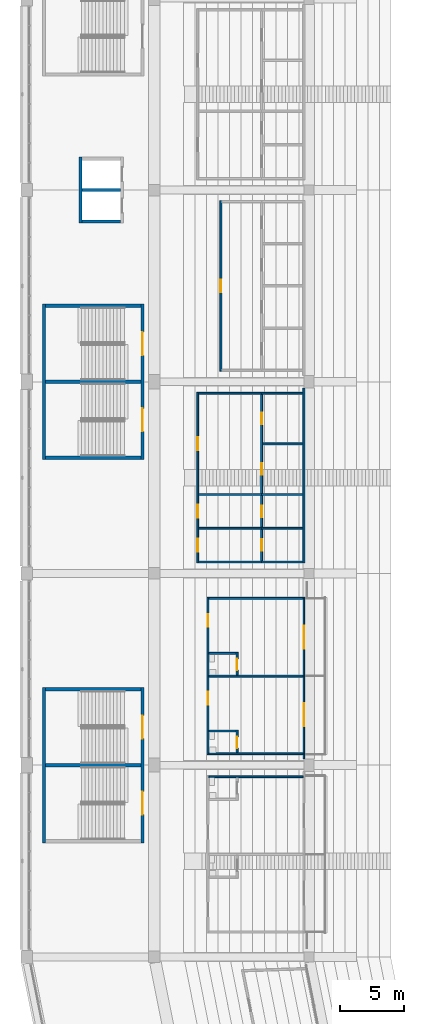
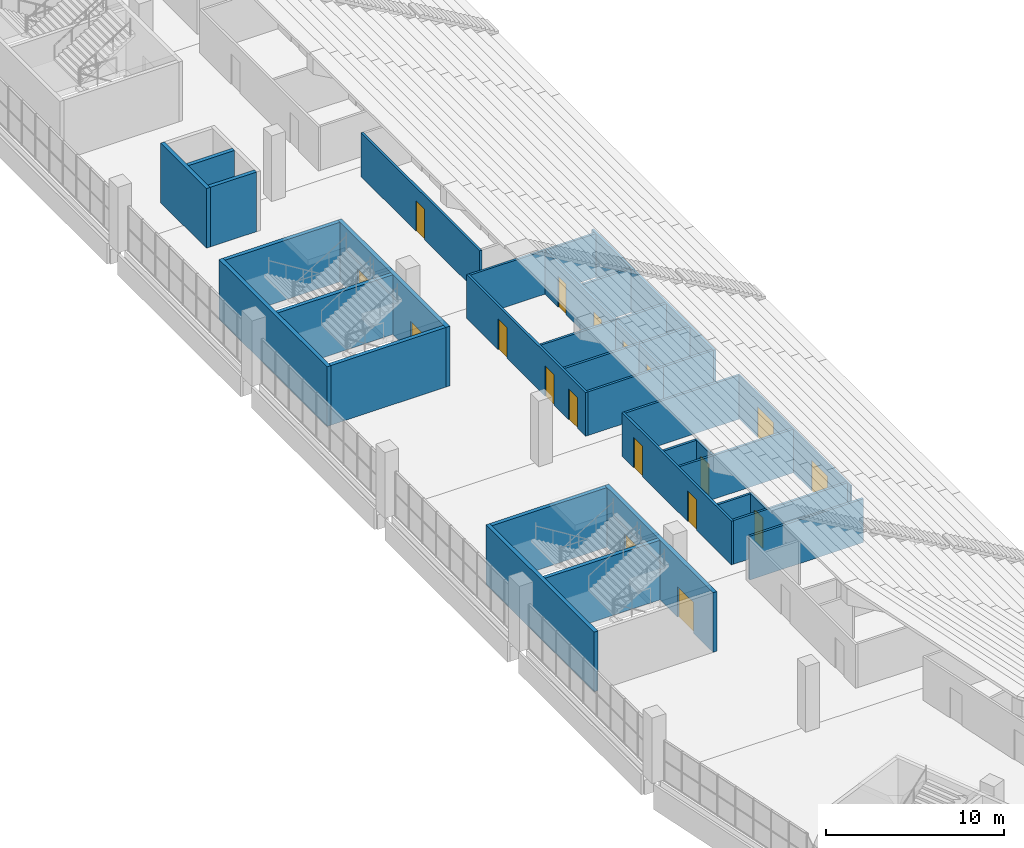
# One storey, part 89 of 249: 35 walls, 18 doors, 18 openings.
"""IFC4 building model written with IfcOpenShell, lengths in metres."""

from ifc_helpers import new_model, si_unit, direction, frame, frame_2d, origin, place, context, subcontext, project, spatial, rectangle, extrude, material, layer, layer_set, type_object, element, fill, save


model = new_model("IFC4")

# Units and contexts
model_context = context("Model", 3, precision=1e-05, world=origin(), true_north=direction((0.0, 1.0)))
body_context = subcontext(model_context, "Body", "Model", "MODEL_VIEW")
ifc_project = project(units=[si_unit("LENGTHUNIT", "METRE"), si_unit("AREAUNIT", "SQUARE_METRE"), si_unit("VOLUMEUNIT", "CUBIC_METRE"), si_unit("PLANEANGLEUNIT", "RADIAN"), si_unit("MASSUNIT", "GRAM", prefix="KILO")], contexts=[model_context])

# Site, building, storey
site_placement = place(None, origin())
site = spatial("IfcSite", under=ifc_project, at=site_placement, CompositionType="ELEMENT")
building_placement = place(site_placement, origin())
building = spatial("IfcBuilding", under=site, at=building_placement, Name="Ogive Plaza Stadium", CompositionType="ELEMENT")
storey_placement = place(building_placement, frame((0.0, 0.0, 13.5)))
storey = spatial("IfcBuildingStorey", under=building, at=storey_placement, Name="L03", CompositionType="ELEMENT", Elevation=13.5)

# Wall
ifc_material_1 = material(Name="Masonry blockwork", Category="masonry")
ifc_layer_1 = layer(ifc_material_1, 0.14990234375)
ifc_layer_set_1 = layer_set([ifc_layer_1], Name="Blockwork wall 150")
wall_type_1 = type_object("IfcWallType", Name="Blockwork wall 150", PredefinedType="SOLIDWALL", material=ifc_layer_set_1)
wall_1_placement = place(storey_placement, frame((-62.35009765625, -38.39990234375, 0.0), z_axis=(0.0, 0.0, 1.0), x_axis=(-1.0, 0.0, 0.0)))
element("IfcWall", 1, at=wall_1_placement, inside=storey, type_object=wall_type_1, Name="Wall L03 B21", PredefinedType="SOLIDWALL", context=body_context, shape_type="SweptSolid", body=[
    extrude(rectangle(XDim=7.375, YDim=0.14990234375, at=frame_2d((3.6875, 0.0))), origin(), (0.0, 0.0, 1.0), 3.0),
])

# Wall, openings, doors
wall_2_placement = place(storey_placement, frame((-69.800048828125, -36.675048828125, 0.0), z_axis=(0.0, 0.0, 1.0), x_axis=(0.0, 1.0, 0.0)))
wall_2 = element("IfcWall", 2, at=wall_2_placement, inside=storey, type_object=wall_type_1, Name="Wall L03 B22", PredefinedType="SOLIDWALL", context=body_context, shape_type="SweptSolid", body=[
    extrude(rectangle(XDim=12.300048828125, YDim=0.14990234375, at=frame_2d((6.14990234375, 0.0))), origin(), (0.0, 0.0, 1.0), 3.0),
])
opening_1_placement = place(wall_2_placement, frame((3.916015625, 0.0, 0.0)))
opening_1 = element("IfcOpeningElement", 3, at=opening_1_placement, cuts=wall_2, Name="Opening D0829", PredefinedType="OPENING", context=body_context, shape_type="SweptSolid", body=[
    extrude(rectangle(XDim=1.0, YDim=2.10009765625, at=frame_2d((0.5, 1.050048828125))), frame((0.0, 0.074951171875, 0.0), z_axis=(0.0, -1.0, 0.0), x_axis=(1.0, 0.0, 0.0)), (0.0, 0.0, 1.0), 0.14990234375),
])
opening_2_placement = place(wall_2_placement, frame((9.990966796875, 0.0, 0.0)))
opening_2 = element("IfcOpeningElement", 4, at=opening_2_placement, cuts=wall_2, Name="Opening D0830", PredefinedType="OPENING", context=body_context, shape_type="SweptSolid", body=[
    extrude(rectangle(XDim=1.0, YDim=2.10009765625, at=frame_2d((0.5, 1.050048828125))), frame((0.0, 0.074951171875, 0.0), z_axis=(0.0, -1.0, 0.0), x_axis=(1.0, 0.0, 0.0)), (0.0, 0.0, 1.0), 0.14990234375),
])
ifc_material_2 = material(Name="Steel ASTM A572 Grade 50", Category="steel")
door_type_1 = type_object("IfcDoorType", Name="Fire door FD30S 1000 x 2100", OperationType="SINGLE_SWING_LEFT", PredefinedType="DOOR", material=ifc_material_2)
door_1_placement = place(opening_1_placement, origin())
door_1 = element("IfcDoor", 5, at=door_1_placement, inside=storey, type_object=door_type_1, Name="Hospitality Suite B22 door", OperationType="SINGLE_SWING_RIGHT", OverallHeight=2.10009765625, OverallWidth=1.0, PredefinedType="DOOR", context=body_context, shape_type="SweptSolid", body=[
    extrude(rectangle(XDim=1.0, YDim=2.10009765625, at=frame_2d((0.5, 1.050048828125))), frame((0.0, 0.02490234375, 0.0), z_axis=(0.0, -1.0, 0.0), x_axis=(1.0, 0.0, 0.0)), (0.0, 0.0, 1.0), 0.050048828125),
])
fill(opening_1, door_1)
door_2_placement = place(opening_2_placement, origin())
door_2 = element("IfcDoor", 6, at=door_2_placement, inside=storey, type_object=door_type_1, Name="Hospitality Suite B22 door", OperationType="SINGLE_SWING_RIGHT", OverallHeight=2.10009765625, OverallWidth=1.0, PredefinedType="DOOR", context=body_context, shape_type="SweptSolid", body=[
    extrude(rectangle(XDim=1.0, YDim=2.10009765625, at=frame_2d((0.5, 1.050048828125))), frame((0.0, 0.02490234375, 0.0), z_axis=(0.0, -1.0, 0.0), x_axis=(1.0, 0.0, 0.0)), (0.0, 0.0, 1.0), 0.050048828125),
])
fill(opening_2, door_2)

# Walls
for number, where, z_axis, x_axis, name in (
    (7, (-62.35009765625, -36.60009765625, 0.0), (0.0, 0.0, 1.0), (-1.0, 0.0, 0.0), "Wall L03 B22"),
    (8, (-62.35009765625, -30.52490234375, 0.0), (0.0, 0.0, 1.0), (-1.0, 0.0, 0.0), "Wall L03 B22"),
    (9, (-62.35009765625, -24.449951171875, 0.0), (0.0, 0.0, 1.0), (-1.0, 0.0, 0.0), "Wall L03 B22"),
):
    element("IfcWall", number, at=place(storey_placement, frame(where, z_axis=z_axis, x_axis=x_axis)), inside=storey, type_object=wall_type_1, Name=name, PredefinedType="SOLIDWALL", context=body_context, shape_type="SweptSolid", body=[
        extrude(rectangle(XDim=7.375, YDim=0.14990234375, at=frame_2d((3.6875, 0.0))), origin(), (0.0, 0.0, 1.0), 3.0),
    ])

# Wall, openings, doors
ifc_material_3 = material(Name="Concrete C40/50", Category="concrete")
ifc_layer_2 = layer(ifc_material_3, 0.25)
ifc_layer_set_2 = layer_set([ifc_layer_2], Name="Concrete C40/50")
wall_type_2 = type_object("IfcWallType", Name="Core wall 250", PredefinedType="SHEAR", material=ifc_layer_set_2)
wall_3_placement = place(storey_placement, frame((-74.925048828125, -31.425048828125, 0.0), z_axis=(0.0, 0.0, 1.0), x_axis=(0.0, -1.0, 0.0)))
wall_3 = element("IfcWall", 10, at=wall_3_placement, inside=storey, type_object=wall_type_2, Name="Stair core R22 inner wall", PredefinedType="SHEAR", context=body_context, shape_type="SweptSolid", body=[
    extrude(rectangle(XDim=12.14990234375, YDim=0.25, at=frame_2d((6.074951171875, 0.0))), origin(), (0.0, 0.0, 1.0), 4.090087890625),
])
opening_3_placement = place(wall_3_placement, frame((2.199951171875, 0.0, 0.0)))
opening_3 = element("IfcOpeningElement", 11, at=opening_3_placement, cuts=wall_3, Name="Opening D0177", PredefinedType="OPENING", context=body_context, shape_type="SweptSolid", body=[
    extrude(rectangle(XDim=1.800048828125, YDim=2.10009765625, at=frame_2d((0.89990234375, 1.050048828125))), frame((0.0, 0.125, 0.0), z_axis=(0.0, -1.0, 0.0), x_axis=(1.0, 0.0, 0.0)), (0.0, 0.0, 1.0), 0.25),
])
opening_4_placement = place(wall_3_placement, frame((8.14990234375, 0.0, 0.0)))
opening_4 = element("IfcOpeningElement", 12, at=opening_4_placement, cuts=wall_3, Name="Opening D0178", PredefinedType="OPENING", context=body_context, shape_type="SweptSolid", body=[
    extrude(rectangle(XDim=1.800048828125, YDim=2.10009765625, at=frame_2d((0.89990234375, 1.050048828125))), frame((0.0, 0.125, 0.0), z_axis=(0.0, -1.0, 0.0), x_axis=(1.0, 0.0, 0.0)), (0.0, 0.0, 1.0), 0.25),
])
ifc_material_4 = material(Name="Steel ASTM A572 Grade 50", Category="steel")
door_type_2 = type_object("IfcDoorType", Name="Fire door FD90 pair 1800 x 2100", OperationType="DOUBLE_DOOR_SINGLE_SWING", PredefinedType="DOOR", material=ifc_material_4)
door_3_placement = place(opening_3_placement, origin())
door_3 = element("IfcDoor", 13, at=door_3_placement, inside=storey, type_object=door_type_2, Name="Exit stair R22A door L03", OperationType="DOUBLE_DOOR_SINGLE_SWING", OverallHeight=2.10009765625, OverallWidth=1.800048828125, PredefinedType="DOOR", context=body_context, shape_type="SweptSolid", body=[
    extrude(rectangle(XDim=1.800048828125, YDim=2.10009765625, at=frame_2d((0.89990234375, 1.050048828125))), frame((0.0, 0.02490234375, 0.0), z_axis=(0.0, -1.0, 0.0), x_axis=(1.0, 0.0, 0.0)), (0.0, 0.0, 1.0), 0.050048828125),
])
fill(opening_3, door_3)
door_4_placement = place(opening_4_placement, origin())
door_4 = element("IfcDoor", 14, at=door_4_placement, inside=storey, type_object=door_type_2, Name="Exit stair R22B door L03", OperationType="DOUBLE_DOOR_SINGLE_SWING", OverallHeight=2.10009765625, OverallWidth=1.800048828125, PredefinedType="DOOR", context=body_context, shape_type="SweptSolid", body=[
    extrude(rectangle(XDim=1.800048828125, YDim=2.10009765625, at=frame_2d((0.89990234375, 1.050048828125))), frame((0.0, 0.02490234375, 0.0), z_axis=(0.0, -1.0, 0.0), x_axis=(1.0, 0.0, 0.0)), (0.0, 0.0, 1.0), 0.050048828125),
])
fill(opening_4, door_4)

# Walls
wall_4_placement = place(storey_placement, frame((-82.635009765625, -31.425048828125, 0.0), z_axis=(0.0, 0.0, 1.0), x_axis=(0.0, -1.0, 0.0)))
element("IfcWall", 15, at=wall_4_placement, inside=storey, type_object=wall_type_2, Name="Stair core R22 outer wall", PredefinedType="SHEAR", context=body_context, shape_type="SweptSolid", body=[
    extrude(rectangle(XDim=12.14990234375, YDim=0.25, at=frame_2d((6.074951171875, 0.0))), origin(), (0.0, 0.0, 1.0), 4.090087890625),
])
for number, where, z_axis, x_axis, name in (
    (16, (-75.050048828125, -31.550048828125, 0.0), (0.0, 0.0, 1.0), (-1.0, 0.0, 0.0), "Stair core R22 side wall"),
    (17, (-75.050048828125, -37.5, 0.0), (0.0, 0.0, 1.0), (-1.0, 0.0, 0.0), "Stair core R22 centre wall"),
):
    element("IfcWall", number, at=place(storey_placement, frame(where, z_axis=z_axis, x_axis=x_axis)), inside=storey, type_object=wall_type_2, Name=name, PredefinedType="SHEAR", context=body_context, shape_type="SweptSolid", body=[
        extrude(rectangle(XDim=7.4599609375, YDim=0.25, at=frame_2d((3.72998046875, 0.0))), origin(), (0.0, 0.0, 1.0), 4.090087890625),
    ])

# Wall, openings, doors
wall_5_placement = place(storey_placement, frame((-74.925048828125, -1.425048828125, 0.0), z_axis=(0.0, 0.0, 1.0), x_axis=(0.0, -1.0, 0.0)))
wall_5 = element("IfcWall", 18, at=wall_5_placement, inside=storey, type_object=wall_type_2, Name="Stair core R24 inner wall", PredefinedType="SHEAR", context=body_context, shape_type="SweptSolid", body=[
    extrude(rectangle(XDim=12.14990234375, YDim=0.25, at=frame_2d((6.074951171875, 0.0))), origin(), (0.0, 0.0, 1.0), 4.090087890625),
])
opening_5_placement = place(wall_5_placement, frame((2.199951171875, 0.0, 0.0)))
opening_5 = element("IfcOpeningElement", 19, at=opening_5_placement, cuts=wall_5, Name="Opening D0189", PredefinedType="OPENING", context=body_context, shape_type="SweptSolid", body=[
    extrude(rectangle(XDim=1.800048828125, YDim=2.10009765625, at=frame_2d((0.89990234375, 1.050048828125))), frame((0.0, 0.125, 0.0), z_axis=(0.0, -1.0, 0.0), x_axis=(1.0, 0.0, 0.0)), (0.0, 0.0, 1.0), 0.25),
])
opening_6_placement = place(wall_5_placement, frame((8.14990234375, 0.0, 0.0)))
opening_6 = element("IfcOpeningElement", 20, at=opening_6_placement, cuts=wall_5, Name="Opening D0190", PredefinedType="OPENING", context=body_context, shape_type="SweptSolid", body=[
    extrude(rectangle(XDim=1.800048828125, YDim=2.10009765625, at=frame_2d((0.89990234375, 1.050048828125))), frame((0.0, 0.125, 0.0), z_axis=(0.0, -1.0, 0.0), x_axis=(1.0, 0.0, 0.0)), (0.0, 0.0, 1.0), 0.25),
])
door_5_placement = place(opening_5_placement, origin())
door_5 = element("IfcDoor", 21, at=door_5_placement, inside=storey, type_object=door_type_2, Name="Exit stair R24A door L03", OperationType="DOUBLE_DOOR_SINGLE_SWING", OverallHeight=2.10009765625, OverallWidth=1.800048828125, PredefinedType="DOOR", context=body_context, shape_type="SweptSolid", body=[
    extrude(rectangle(XDim=1.800048828125, YDim=2.10009765625, at=frame_2d((0.89990234375, 1.050048828125))), frame((0.0, 0.02490234375, 0.0), z_axis=(0.0, -1.0, 0.0), x_axis=(1.0, 0.0, 0.0)), (0.0, 0.0, 1.0), 0.050048828125),
])
fill(opening_5, door_5)
door_6_placement = place(opening_6_placement, origin())
door_6 = element("IfcDoor", 22, at=door_6_placement, inside=storey, type_object=door_type_2, Name="Exit stair R24B door L03", OperationType="DOUBLE_DOOR_SINGLE_SWING", OverallHeight=2.10009765625, OverallWidth=1.800048828125, PredefinedType="DOOR", context=body_context, shape_type="SweptSolid", body=[
    extrude(rectangle(XDim=1.800048828125, YDim=2.10009765625, at=frame_2d((0.89990234375, 1.050048828125))), frame((0.0, 0.02490234375, 0.0), z_axis=(0.0, -1.0, 0.0), x_axis=(1.0, 0.0, 0.0)), (0.0, 0.0, 1.0), 0.050048828125),
])
fill(opening_6, door_6)

# Walls
wall_6_placement = place(storey_placement, frame((-82.635009765625, -1.425048828125, 0.0), z_axis=(0.0, 0.0, 1.0), x_axis=(0.0, -1.0, 0.0)))
element("IfcWall", 23, at=wall_6_placement, inside=storey, type_object=wall_type_2, Name="Stair core R24 outer wall", PredefinedType="SHEAR", context=body_context, shape_type="SweptSolid", body=[
    extrude(rectangle(XDim=12.14990234375, YDim=0.25, at=frame_2d((6.074951171875, 0.0))), origin(), (0.0, 0.0, 1.0), 4.090087890625),
])
for number, where, z_axis, x_axis, name in (
    (24, (-75.050048828125, -1.550048828125, 0.0), (0.0, 0.0, 1.0), (-1.0, 0.0, 0.0), "Stair core R24 side wall"),
    (25, (-75.050048828125, -13.449951171875, 0.0), (0.0, 0.0, 1.0), (-1.0, 0.0, 0.0), "Stair core R24 side wall"),
    (26, (-75.050048828125, -7.5, 0.0), (0.0, 0.0, 1.0), (-1.0, 0.0, 0.0), "Stair core R24 centre wall"),
):
    element("IfcWall", number, at=place(storey_placement, frame(where, z_axis=z_axis, x_axis=x_axis)), inside=storey, type_object=wall_type_2, Name=name, PredefinedType="SHEAR", context=body_context, shape_type="SweptSolid", body=[
        extrude(rectangle(XDim=7.4599609375, YDim=0.25, at=frame_2d((3.72998046875, 0.0))), origin(), (0.0, 0.0, 1.0), 4.090087890625),
    ])
wall_7_placement = place(storey_placement, frame((-79.77490234375, 10.074951171875, 0.0), z_axis=(0.0, 0.0, 1.0), x_axis=(0.0, -1.0, 0.0)))
element("IfcWall", 27, at=wall_7_placement, inside=storey, type_object=wall_type_2, Name="Lift core LP25 rear wall", PredefinedType="SHEAR", context=body_context, shape_type="SweptSolid", body=[
    extrude(rectangle(XDim=5.14990234375, YDim=0.25, at=frame_2d((2.574951171875, 0.0))), origin(), (0.0, 0.0, 1.0), 4.090087890625),
])
for number, where, z_axis, x_axis, name in (
    (28, (-76.64990234375, 5.050048828125, 0.0), (0.0, 0.0, 1.0), (-1.0, 0.0, 0.0), "Lift core LP25 side wall"),
    (29, (-76.64990234375, 7.5, 0.0), (0.0, 0.0, 1.0), (-1.0, 0.0, 0.0), "Lift core LP25 centre wall"),
):
    element("IfcWall", number, at=place(storey_placement, frame(where, z_axis=z_axis, x_axis=x_axis)), inside=storey, type_object=wall_type_2, Name=name, PredefinedType="SHEAR", context=body_context, shape_type="SweptSolid", body=[
        extrude(rectangle(XDim=3.0, YDim=0.25, at=frame_2d((1.5, 0.0))), origin(), (0.0, 0.0, 1.0), 4.090087890625),
    ])

# Wall, openings, doors
ifc_material_5 = material(Name="Laminated glass in aluminium frame", Category="aluminium")
ifc_layer_3 = layer(ifc_material_5, 0.10009765625)
ifc_layer_set_3 = layer_set([ifc_layer_3], Name="Glazed partition 100")
wall_type_3 = type_object("IfcWallType", Name="Glazed partition 100", PredefinedType="PARTITIONING", material=ifc_layer_set_3)
wall_8_placement = place(storey_placement, frame((-62.300048828125, -37.0, 0.0), z_axis=(0.0, 0.0, 1.0), x_axis=(0.0, 1.0, 0.0)))
wall_8 = element("IfcWall", 30, at=wall_8_placement, inside=storey, type_object=wall_type_3, Name="Wall L03 B22", PredefinedType="PARTITIONING", context=body_context, shape_type="SweptSolid", body=[
    extrude(rectangle(XDim=12.625, YDim=0.10009765625, at=frame_2d((6.3125, 0.0))), origin(), (0.0, 0.0, 1.0), 3.0),
])
opening_7_placement = place(wall_8_placement, frame((2.53759765625, 0.0, 0.0)))
opening_7 = element("IfcOpeningElement", 31, at=opening_7_placement, cuts=wall_8, Name="Opening D0831", PredefinedType="OPENING", context=body_context, shape_type="SweptSolid", body=[
    extrude(rectangle(XDim=1.800048828125, YDim=2.10009765625, at=frame_2d((0.89990234375, 1.050048828125))), frame((0.0, 0.050048828125, 0.0), z_axis=(0.0, -1.0, 0.0), x_axis=(1.0, 0.0, 0.0)), (0.0, 0.0, 1.0), 0.10009765625),
])
opening_8_placement = place(wall_8_placement, frame((8.612548828125, 0.0, 0.0)))
opening_8 = element("IfcOpeningElement", 32, at=opening_8_placement, cuts=wall_8, Name="Opening D0832", PredefinedType="OPENING", context=body_context, shape_type="SweptSolid", body=[
    extrude(rectangle(XDim=1.800048828125, YDim=2.10009765625, at=frame_2d((0.89990234375, 1.050048828125))), frame((0.0, 0.050048828125, 0.0), z_axis=(0.0, -1.0, 0.0), x_axis=(1.0, 0.0, 0.0)), (0.0, 0.0, 1.0), 0.10009765625),
])
ifc_material_6 = material(Name="Steel ASTM A572 Grade 50", Category="steel")
door_type_3 = type_object("IfcDoorType", Name="Door pair 1800 x 2100", OperationType="DOUBLE_DOOR_SINGLE_SWING", PredefinedType="DOOR", material=ifc_material_6)
door_7_placement = place(opening_7_placement, origin())
door_7 = element("IfcDoor", 33, at=door_7_placement, inside=storey, type_object=door_type_3, Name="Suite terrace door B22", OperationType="DOUBLE_DOOR_SINGLE_SWING", OverallHeight=2.10009765625, OverallWidth=1.800048828125, PredefinedType="DOOR", context=body_context, shape_type="SweptSolid", body=[
    extrude(rectangle(XDim=1.800048828125, YDim=2.10009765625, at=frame_2d((0.89990234375, 1.050048828125))), frame((0.0, 0.02490234375, 0.0), z_axis=(0.0, -1.0, 0.0), x_axis=(1.0, 0.0, 0.0)), (0.0, 0.0, 1.0), 0.050048828125),
])
fill(opening_7, door_7)
door_8_placement = place(opening_8_placement, origin())
door_8 = element("IfcDoor", 34, at=door_8_placement, inside=storey, type_object=door_type_3, Name="Suite terrace door B22", OperationType="DOUBLE_DOOR_SINGLE_SWING", OverallHeight=2.10009765625, OverallWidth=1.800048828125, PredefinedType="DOOR", context=body_context, shape_type="SweptSolid", body=[
    extrude(rectangle(XDim=1.800048828125, YDim=2.10009765625, at=frame_2d((0.89990234375, 1.050048828125))), frame((0.0, 0.02490234375, 0.0), z_axis=(0.0, -1.0, 0.0), x_axis=(1.0, 0.0, 0.0)), (0.0, 0.0, 1.0), 0.050048828125),
])
fill(opening_8, door_8)

# Wall, opening, door
ifc_material_7 = material(Name="Gypsum board partition", Category="gypsum")
ifc_layer_4 = layer(ifc_material_7, 0.14990234375)
ifc_layer_set_4 = layer_set([ifc_layer_4], Name="Partition 150")
wall_type_4 = type_object("IfcWallType", Name="Partition 150", PredefinedType="PARTITIONING", material=ifc_layer_set_4)
wall_9_placement = place(storey_placement, frame((-67.52490234375, -36.52490234375, 0.0), z_axis=(0.0, 0.0, 1.0), x_axis=(0.0, 1.0, 0.0)))
wall_9 = element("IfcWall", 35, at=wall_9_placement, inside=storey, type_object=wall_type_4, Name="Wall L03 B22", PredefinedType="PARTITIONING", context=body_context, shape_type="SweptSolid", body=[
    extrude(rectangle(XDim=1.77490234375, YDim=0.14990234375, at=frame_2d((0.887451171875, 0.0))), origin(), (0.0, 0.0, 1.0), 3.0),
])
opening_9_placement = place(wall_9_placement, frame((0.362548828125, 0.0, 0.0)))
opening_9 = element("IfcOpeningElement", 36, at=opening_9_placement, cuts=wall_9, Name="Opening D0833", PredefinedType="OPENING", context=body_context, shape_type="SweptSolid", body=[
    extrude(rectangle(XDim=0.89990234375, YDim=2.10009765625, at=frame_2d((0.449951171875, 1.050048828125))), frame((0.0, 0.074951171875, 0.0), z_axis=(0.0, -1.0, 0.0), x_axis=(1.0, 0.0, 0.0)), (0.0, 0.0, 1.0), 0.14990234375),
])
ifc_material_8 = material(Name="Steel ASTM A572 Grade 50", Category="steel")
door_type_4 = type_object("IfcDoorType", Name="Door 900 x 2100", OperationType="SINGLE_SWING_LEFT", PredefinedType="DOOR", material=ifc_material_8)
door_9_placement = place(opening_9_placement, origin())
door_9 = element("IfcDoor", 37, at=door_9_placement, inside=storey, type_object=door_type_4, Name="Suite WC B22 door", OperationType="SINGLE_SWING_LEFT", OverallHeight=2.10009765625, OverallWidth=0.89990234375, PredefinedType="DOOR", context=body_context, shape_type="SweptSolid", body=[
    extrude(rectangle(XDim=0.89990234375, YDim=2.10009765625, at=frame_2d((0.449951171875, 1.050048828125))), frame((0.0, 0.02490234375, 0.0), z_axis=(0.0, -1.0, 0.0), x_axis=(1.0, 0.0, 0.0)), (0.0, 0.0, 1.0), 0.050048828125),
])
fill(opening_9, door_9)

# Wall
wall_10_placement = place(storey_placement, frame((-67.60009765625, -34.824951171875, 0.0), z_axis=(0.0, 0.0, 1.0), x_axis=(-1.0, 0.0, 0.0)))
element("IfcWall", 38, at=wall_10_placement, inside=storey, type_object=wall_type_4, Name="Wall L03 B22", PredefinedType="PARTITIONING", context=body_context, shape_type="SweptSolid", body=[
    extrude(rectangle(XDim=2.125, YDim=0.14990234375, at=frame_2d((1.0625, 0.0))), origin(), (0.0, 0.0, 1.0), 3.0),
])

# Wall, opening, door
wall_11_placement = place(storey_placement, frame((-67.52490234375, -30.449951171875, 0.0), z_axis=(0.0, 0.0, 1.0), x_axis=(0.0, 1.0, 0.0)))
wall_11 = element("IfcWall", 39, at=wall_11_placement, inside=storey, type_object=wall_type_4, Name="Wall L03 B22", PredefinedType="PARTITIONING", context=body_context, shape_type="SweptSolid", body=[
    extrude(rectangle(XDim=1.77490234375, YDim=0.14990234375, at=frame_2d((0.887451171875, 0.0))), origin(), (0.0, 0.0, 1.0), 3.0),
])
opening_10_placement = place(wall_11_placement, frame((0.362548828125, 0.0, 0.0)))
opening_10 = element("IfcOpeningElement", 40, at=opening_10_placement, cuts=wall_11, Name="Opening D0834", PredefinedType="OPENING", context=body_context, shape_type="SweptSolid", body=[
    extrude(rectangle(XDim=0.89990234375, YDim=2.10009765625, at=frame_2d((0.449951171875, 1.050048828125))), frame((0.0, 0.074951171875, 0.0), z_axis=(0.0, -1.0, 0.0), x_axis=(1.0, 0.0, 0.0)), (0.0, 0.0, 1.0), 0.14990234375),
])
door_10_placement = place(opening_10_placement, origin())
door_10 = element("IfcDoor", 41, at=door_10_placement, inside=storey, type_object=door_type_4, Name="Suite WC B22 door", OperationType="SINGLE_SWING_RIGHT", OverallHeight=2.10009765625, OverallWidth=0.89990234375, PredefinedType="DOOR", context=body_context, shape_type="SweptSolid", body=[
    extrude(rectangle(XDim=0.89990234375, YDim=2.10009765625, at=frame_2d((0.449951171875, 1.050048828125))), frame((0.0, 0.02490234375, 0.0), z_axis=(0.0, -1.0, 0.0), x_axis=(1.0, 0.0, 0.0)), (0.0, 0.0, 1.0), 0.050048828125),
])
fill(opening_10, door_10)

# Walls
wall_12_placement = place(storey_placement, frame((-67.60009765625, -28.75, 0.0), z_axis=(0.0, 0.0, 1.0), x_axis=(-1.0, 0.0, 0.0)))
element("IfcWall", 42, at=wall_12_placement, inside=storey, type_object=wall_type_4, Name="Wall L03 B22", PredefinedType="PARTITIONING", context=body_context, shape_type="SweptSolid", body=[
    extrude(rectangle(XDim=2.125, YDim=0.14990234375, at=frame_2d((1.0625, 0.0))), origin(), (0.0, 0.0, 1.0), 3.0),
])
wall_13_placement = place(storey_placement, frame((-62.300048828125, -8.0, 0.0), z_axis=(0.0, 0.0, 1.0), x_axis=(0.0, -1.0, 0.0)))
element("IfcWall", 43, at=wall_13_placement, inside=storey, type_object=wall_type_4, Name="Wall L03 B23", PredefinedType="PARTITIONING", context=body_context, shape_type="SweptSolid", body=[
    extrude(rectangle(XDim=13.675048828125, YDim=0.14990234375, at=frame_2d((6.83740234375, 0.0))), origin(), (0.0, 0.0, 1.0), 3.0),
])

# Wall, openings, doors
wall_14_placement = place(storey_placement, frame((-65.60009765625, -8.324951171875, 0.0), z_axis=(0.0, 0.0, 1.0), x_axis=(0.0, -1.0, 0.0)))
wall_14 = element("IfcWall", 44, at=wall_14_placement, inside=storey, type_object=wall_type_4, Name="Wall L03 B23", PredefinedType="PARTITIONING", context=body_context, shape_type="SweptSolid", body=[
    extrude(rectangle(XDim=13.35009765625, YDim=0.14990234375, at=frame_2d((6.675048828125, 0.0))), origin(), (0.0, 0.0, 1.0), 3.0),
])
opening_11_placement = place(wall_14_placement, frame((1.60498046875, 0.0, 0.0)))
opening_11 = element("IfcOpeningElement", 45, at=opening_11_placement, cuts=wall_14, Name="Opening D0835", PredefinedType="OPENING", context=body_context, shape_type="SweptSolid", body=[
    extrude(rectangle(XDim=0.89990234375, YDim=2.10009765625, at=frame_2d((0.449951171875, 1.050048828125))), frame((0.0, 0.074951171875, 0.0), z_axis=(0.0, -1.0, 0.0), x_axis=(1.0, 0.0, 0.0)), (0.0, 0.0, 1.0), 0.14990234375),
])
opening_12_placement = place(wall_14_placement, frame((5.56494140625, 0.0, 0.0)))
opening_12 = element("IfcOpeningElement", 46, at=opening_12_placement, cuts=wall_14, Name="Opening D0836", PredefinedType="OPENING", context=body_context, shape_type="SweptSolid", body=[
    extrude(rectangle(XDim=0.89990234375, YDim=2.10009765625, at=frame_2d((0.449951171875, 1.050048828125))), frame((0.0, 0.074951171875, 0.0), z_axis=(0.0, -1.0, 0.0), x_axis=(1.0, 0.0, 0.0)), (0.0, 0.0, 1.0), 0.14990234375),
])
opening_13_placement = place(wall_14_placement, frame((8.864990234375, 0.0, 0.0)))
opening_13 = element("IfcOpeningElement", 47, at=opening_13_placement, cuts=wall_14, Name="Opening D0837", PredefinedType="OPENING", context=body_context, shape_type="SweptSolid", body=[
    extrude(rectangle(XDim=0.89990234375, YDim=2.10009765625, at=frame_2d((0.449951171875, 1.050048828125))), frame((0.0, 0.074951171875, 0.0), z_axis=(0.0, -1.0, 0.0), x_axis=(1.0, 0.0, 0.0)), (0.0, 0.0, 1.0), 0.14990234375),
])
opening_14_placement = place(wall_14_placement, frame((11.5048828125, 0.0, 0.0)))
opening_14 = element("IfcOpeningElement", 48, at=opening_14_placement, cuts=wall_14, Name="Opening D0838", PredefinedType="OPENING", context=body_context, shape_type="SweptSolid", body=[
    extrude(rectangle(XDim=0.89990234375, YDim=2.10009765625, at=frame_2d((0.449951171875, 1.050048828125))), frame((0.0, 0.074951171875, 0.0), z_axis=(0.0, -1.0, 0.0), x_axis=(1.0, 0.0, 0.0)), (0.0, 0.0, 1.0), 0.14990234375),
])
door_11_placement = place(opening_11_placement, origin())
door_11 = element("IfcDoor", 49, at=door_11_placement, inside=storey, type_object=door_type_4, Name="Commentary Booth B23 door", OperationType="SINGLE_SWING_LEFT", OverallHeight=2.10009765625, OverallWidth=0.89990234375, PredefinedType="DOOR", context=body_context, shape_type="SweptSolid", body=[
    extrude(rectangle(XDim=0.89990234375, YDim=2.10009765625, at=frame_2d((0.449951171875, 1.050048828125))), frame((0.0, 0.02490234375, 0.0), z_axis=(0.0, -1.0, 0.0), x_axis=(1.0, 0.0, 0.0)), (0.0, 0.0, 1.0), 0.050048828125),
])
fill(opening_11, door_11)
door_12_placement = place(opening_12_placement, origin())
door_12 = element("IfcDoor", 50, at=door_12_placement, inside=storey, type_object=door_type_4, Name="Commentary Booth B23 door", OperationType="SINGLE_SWING_RIGHT", OverallHeight=2.10009765625, OverallWidth=0.89990234375, PredefinedType="DOOR", context=body_context, shape_type="SweptSolid", body=[
    extrude(rectangle(XDim=0.89990234375, YDim=2.10009765625, at=frame_2d((0.449951171875, 1.050048828125))), frame((0.0, 0.02490234375, 0.0), z_axis=(0.0, -1.0, 0.0), x_axis=(1.0, 0.0, 0.0)), (0.0, 0.0, 1.0), 0.050048828125),
])
fill(opening_12, door_12)
door_13_placement = place(opening_13_placement, origin())
door_13 = element("IfcDoor", 51, at=door_13_placement, inside=storey, type_object=door_type_4, Name="Commentary Booth B23 door", OperationType="SINGLE_SWING_LEFT", OverallHeight=2.10009765625, OverallWidth=0.89990234375, PredefinedType="DOOR", context=body_context, shape_type="SweptSolid", body=[
    extrude(rectangle(XDim=0.89990234375, YDim=2.10009765625, at=frame_2d((0.449951171875, 1.050048828125))), frame((0.0, 0.02490234375, 0.0), z_axis=(0.0, -1.0, 0.0), x_axis=(1.0, 0.0, 0.0)), (0.0, 0.0, 1.0), 0.050048828125),
])
fill(opening_13, door_13)
door_14_placement = place(opening_14_placement, origin())
door_14 = element("IfcDoor", 52, at=door_14_placement, inside=storey, type_object=door_type_4, Name="Commentary Booth B23 door", OperationType="SINGLE_SWING_RIGHT", OverallHeight=2.10009765625, OverallWidth=0.89990234375, PredefinedType="DOOR", context=body_context, shape_type="SweptSolid", body=[
    extrude(rectangle(XDim=0.89990234375, YDim=2.10009765625, at=frame_2d((0.449951171875, 1.050048828125))), frame((0.0, 0.02490234375, 0.0), z_axis=(0.0, -1.0, 0.0), x_axis=(1.0, 0.0, 0.0)), (0.0, 0.0, 1.0), 0.050048828125),
])
fill(opening_14, door_14)

# Walls
wall_15_placement = place(storey_placement, frame((-62.375, -8.39990234375, 0.0), z_axis=(0.0, 0.0, 1.0), x_axis=(-1.0, 0.0, 0.0)))
element("IfcWall", 53, at=wall_15_placement, inside=storey, type_object=wall_type_4, Name="Wall L03 B23", PredefinedType="PARTITIONING", context=body_context, shape_type="SweptSolid", body=[
    extrude(rectangle(XDim=3.22509765625, YDim=0.14990234375, at=frame_2d((1.612548828125, 0.0))), origin(), (0.0, 0.0, 1.0), 3.0),
])
wall_16_placement = place(storey_placement, frame((-62.375, -12.360107421875, 0.0), z_axis=(0.0, 0.0, 1.0), x_axis=(-1.0, 0.0, 0.0)))
element("IfcWall", 54, at=wall_16_placement, inside=storey, type_object=wall_type_4, Name="Wall L03 B23", PredefinedType="PARTITIONING", context=body_context, shape_type="SweptSolid", body=[
    extrude(rectangle(XDim=3.14990234375, YDim=0.14990234375, at=frame_2d((1.574951171875, 0.0))), origin(), (0.0, 0.0, 1.0), 3.0),
])
for number, where, z_axis, x_axis, name in (
    (55, (-62.375, -16.320068359375, 0.0), (0.0, 0.0, 1.0), (-1.0, 0.0, 0.0), "Wall L03 B23"),
    (56, (-62.375, -18.9599609375, 0.0), (0.0, 0.0, 1.0), (-1.0, 0.0, 0.0), "Wall L03 B23"),
    (57, (-62.375, -21.60009765625, 0.0), (0.0, 0.0, 1.0), (-1.0, 0.0, 0.0), "Wall L03 B23"),
):
    element("IfcWall", number, at=place(storey_placement, frame(where, z_axis=z_axis, x_axis=x_axis)), inside=storey, type_object=wall_type_4, Name=name, PredefinedType="PARTITIONING", context=body_context, shape_type="SweptSolid", body=[
        extrude(rectangle(XDim=3.22509765625, YDim=0.14990234375, at=frame_2d((1.612548828125, 0.0))), origin(), (0.0, 0.0, 1.0), 3.0),
    ])

# Wall, openings, doors
wall_17_placement = place(storey_placement, frame((-70.60009765625, -8.324951171875, 0.0), z_axis=(0.0, 0.0, 1.0), x_axis=(0.0, -1.0, 0.0)))
wall_17 = element("IfcWall", 58, at=wall_17_placement, inside=storey, type_object=wall_type_4, Name="Wall L03 B23", PredefinedType="PARTITIONING", context=body_context, shape_type="SweptSolid", body=[
    extrude(rectangle(XDim=13.35009765625, YDim=0.14990234375, at=frame_2d((6.675048828125, 0.0))), origin(), (0.0, 0.0, 1.0), 3.0),
])
opening_15_placement = place(wall_17_placement, frame((3.534912109375, 0.0, 0.0)))
opening_15 = element("IfcOpeningElement", 59, at=opening_15_placement, cuts=wall_17, Name="Opening D0839", PredefinedType="OPENING", context=body_context, shape_type="SweptSolid", body=[
    extrude(rectangle(XDim=1.0, YDim=2.10009765625, at=frame_2d((0.5, 1.050048828125))), frame((0.0, 0.074951171875, 0.0), z_axis=(0.0, -1.0, 0.0), x_axis=(1.0, 0.0, 0.0)), (0.0, 0.0, 1.0), 0.14990234375),
])
opening_16_placement = place(wall_17_placement, frame((8.81494140625, 0.0, 0.0)))
opening_16 = element("IfcOpeningElement", 60, at=opening_16_placement, cuts=wall_17, Name="Opening D0840", PredefinedType="OPENING", context=body_context, shape_type="SweptSolid", body=[
    extrude(rectangle(XDim=1.0, YDim=2.10009765625, at=frame_2d((0.5, 1.050048828125))), frame((0.0, 0.074951171875, 0.0), z_axis=(0.0, -1.0, 0.0), x_axis=(1.0, 0.0, 0.0)), (0.0, 0.0, 1.0), 0.14990234375),
])
opening_17_placement = place(wall_17_placement, frame((11.455078125, 0.0, 0.0)))
opening_17 = element("IfcOpeningElement", 61, at=opening_17_placement, cuts=wall_17, Name="Opening D0841", PredefinedType="OPENING", context=body_context, shape_type="SweptSolid", body=[
    extrude(rectangle(XDim=1.0, YDim=2.10009765625, at=frame_2d((0.5, 1.050048828125))), frame((0.0, 0.074951171875, 0.0), z_axis=(0.0, -1.0, 0.0), x_axis=(1.0, 0.0, 0.0)), (0.0, 0.0, 1.0), 0.14990234375),
])
ifc_material_9 = material(Name="Steel ASTM A572 Grade 50", Category="steel")
door_type_5 = type_object("IfcDoorType", Name="Door 1000 x 2100", OperationType="SINGLE_SWING_LEFT", PredefinedType="DOOR", material=ifc_material_9)
door_15_placement = place(opening_15_placement, origin())
door_15 = element("IfcDoor", 62, at=door_15_placement, inside=storey, type_object=door_type_5, Name="Media Centre B23 door", OperationType="SINGLE_SWING_LEFT", OverallHeight=2.10009765625, OverallWidth=1.0, PredefinedType="DOOR", context=body_context, shape_type="SweptSolid", body=[
    extrude(rectangle(XDim=1.0, YDim=2.10009765625, at=frame_2d((0.5, 1.050048828125))), frame((0.0, 0.02490234375, 0.0), z_axis=(0.0, -1.0, 0.0), x_axis=(1.0, 0.0, 0.0)), (0.0, 0.0, 1.0), 0.050048828125),
])
fill(opening_15, door_15)
door_16_placement = place(opening_16_placement, origin())
door_16 = element("IfcDoor", 63, at=door_16_placement, inside=storey, type_object=door_type_5, Name="Interview Room B23 door", OperationType="SINGLE_SWING_RIGHT", OverallHeight=2.10009765625, OverallWidth=1.0, PredefinedType="DOOR", context=body_context, shape_type="SweptSolid", body=[
    extrude(rectangle(XDim=1.0, YDim=2.10009765625, at=frame_2d((0.5, 1.050048828125))), frame((0.0, 0.02490234375, 0.0), z_axis=(0.0, -1.0, 0.0), x_axis=(1.0, 0.0, 0.0)), (0.0, 0.0, 1.0), 0.050048828125),
])
fill(opening_16, door_16)
door_17_placement = place(opening_17_placement, origin())
door_17 = element("IfcDoor", 64, at=door_17_placement, inside=storey, type_object=door_type_5, Name="Interview Room B23 door", OperationType="SINGLE_SWING_LEFT", OverallHeight=2.10009765625, OverallWidth=1.0, PredefinedType="DOOR", context=body_context, shape_type="SweptSolid", body=[
    extrude(rectangle(XDim=1.0, YDim=2.10009765625, at=frame_2d((0.5, 1.050048828125))), frame((0.0, 0.02490234375, 0.0), z_axis=(0.0, -1.0, 0.0), x_axis=(1.0, 0.0, 0.0)), (0.0, 0.0, 1.0), 0.050048828125),
])
fill(opening_17, door_17)

# Walls
for number, where, z_axis, x_axis, name in (
    (65, (-65.60009765625, -8.39990234375, 0.0), (0.0, 0.0, 1.0), (-1.0, 0.0, 0.0), "Wall L03 B23"),
    (66, (-65.60009765625, -16.320068359375, 0.0), (0.0, 0.0, 1.0), (-1.0, 0.0, 0.0), "Wall L03 B23"),
    (67, (-65.60009765625, -18.9599609375, 0.0), (0.0, 0.0, 1.0), (-1.0, 0.0, 0.0), "Wall L03 B23"),
    (68, (-65.60009765625, -21.60009765625, 0.0), (0.0, 0.0, 1.0), (-1.0, 0.0, 0.0), "Wall L03 B23"),
):
    element("IfcWall", number, at=place(storey_placement, frame(where, z_axis=z_axis, x_axis=x_axis)), inside=storey, type_object=wall_type_4, Name=name, PredefinedType="PARTITIONING", context=body_context, shape_type="SweptSolid", body=[
        extrude(rectangle(XDim=4.9248046875, YDim=0.14990234375, at=frame_2d((2.46240234375, 0.0))), origin(), (0.0, 0.0, 1.0), 3.0),
    ])

# Wall, opening, door
wall_18_placement = place(storey_placement, frame((-68.800048828125, -6.675048828125, 0.0), z_axis=(0.0, 0.0, 1.0), x_axis=(0.0, 1.0, 0.0)))
wall_18 = element("IfcWall", 69, at=wall_18_placement, inside=storey, type_object=wall_type_4, Name="Wall L03 B24", PredefinedType="PARTITIONING", context=body_context, shape_type="SweptSolid", body=[
    extrude(rectangle(XDim=13.35009765625, YDim=0.14990234375, at=frame_2d((6.675048828125, 0.0))), origin(), (0.0, 0.0, 1.0), 3.0),
])
opening_18_placement = place(wall_18_placement, frame((6.175048828125, 0.0, 0.0)))
opening_18 = element("IfcOpeningElement", 70, at=opening_18_placement, cuts=wall_18, Name="Opening D0846", PredefinedType="OPENING", context=body_context, shape_type="SweptSolid", body=[
    extrude(rectangle(XDim=1.0, YDim=2.10009765625, at=frame_2d((0.5, 1.050048828125))), frame((0.0, 0.074951171875, 0.0), z_axis=(0.0, -1.0, 0.0), x_axis=(1.0, 0.0, 0.0)), (0.0, 0.0, 1.0), 0.14990234375),
])
door_18_placement = place(opening_18_placement, origin())
door_18 = element("IfcDoor", 71, at=door_18_placement, inside=storey, type_object=door_type_5, Name="Press Box B24 door", OperationType="SINGLE_SWING_LEFT", OverallHeight=2.10009765625, OverallWidth=1.0, PredefinedType="DOOR", context=body_context, shape_type="SweptSolid", body=[
    extrude(rectangle(XDim=1.0, YDim=2.10009765625, at=frame_2d((0.5, 1.050048828125))), frame((0.0, 0.02490234375, 0.0), z_axis=(0.0, -1.0, 0.0), x_axis=(1.0, 0.0, 0.0)), (0.0, 0.0, 1.0), 0.050048828125),
])
fill(opening_18, door_18)

save(model, "model.ifc")
